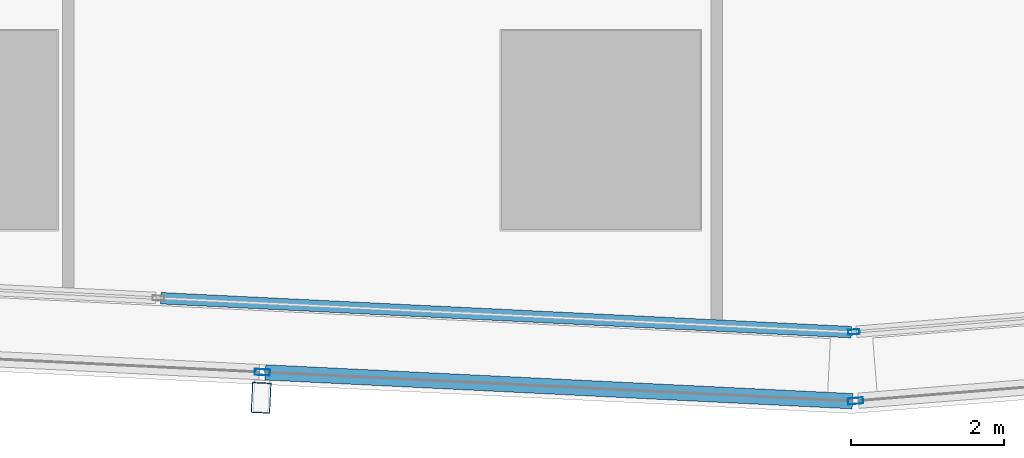
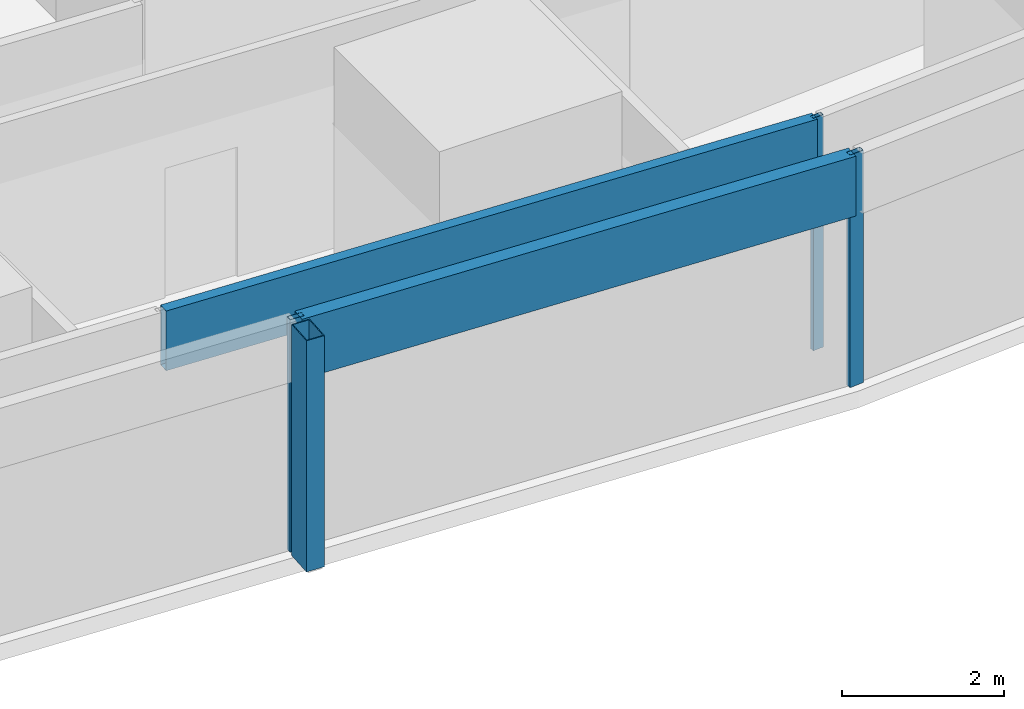
# One storey, part 9 of 46: 6 members, 4 elements without a shape of their own.
"""IFC4 building model written with IfcOpenShell, lengths in metres."""

from ifc_helpers import new_model, si_unit, direction, frame, origin, origin_2d, place, context, subcontext, project, spatial, hollow_rectangle, extrude, material, material_profile, profile_set, type_object, element, aggregate, save


model = new_model("IFC4")

# Units and contexts
model_context = context("Model", 3, precision=1e-05, world=origin(), true_north=direction((0.0, 1.0)))
body_context = subcontext(model_context, "Body", "Model", "MODEL_VIEW")
ifc_project = project(units=[si_unit("LENGTHUNIT", "METRE"), si_unit("AREAUNIT", "SQUARE_METRE"), si_unit("VOLUMEUNIT", "CUBIC_METRE"), si_unit("PLANEANGLEUNIT", "RADIAN"), si_unit("MASSUNIT", "GRAM", prefix="KILO")], contexts=[model_context])

# Site, building, storey
site_placement = place(None, origin())
site = spatial("IfcSite", under=ifc_project, at=site_placement, CompositionType="ELEMENT")
building_placement = place(site_placement, origin())
building = spatial("IfcBuilding", under=site, at=building_placement, Name="Rekha Terrace Tower", CompositionType="ELEMENT")
storey_placement = place(building_placement, frame((0.0, 0.0, 29.14990234375)))
storey = spatial("IfcBuildingStorey", under=building, at=storey_placement, Name="L06", CompositionType="ELEMENT", Elevation=29.14990234375)

# Curtain wall, member
ifc_material_1 = material(Name="Aluminium framing", Category="aluminium")
curtain_wall_type_1 = type_object("IfcCurtainWallType", Name="CW2 double skin outer glazing", PredefinedType="USERDEFINED", material=ifc_material_1)
curtain_wall_1_placement = place(storey_placement, origin())
curtain_wall_1 = element("IfcCurtainWall", 1, at=curtain_wall_1_placement, inside=storey, type_object=curtain_wall_type_1, Name="CW2 double skin outer glazing", ObjectType="DOUBLE SKIN OUTER GLAZING", PredefinedType="USERDEFINED")
ifc_material_2 = material(Name="Steel S355 with fluorocarbon finish", Category="steel")
ifc_material_profile_1 = material_profile(ifc_material_2, hollow_rectangle(XDim=0.25, YDim=0.39990234375, WallThickness=0.012451171875, at=origin_2d()), Name="RHS400x250x12.5")
ifc_profile_set_1 = profile_set([ifc_material_profile_1], Name="Steel S355 with fluorocarbon finish")
member_type_1 = type_object("IfcMemberType", Name="BL1 facade blade RHS 400 x 250", PredefinedType="USERDEFINED", material=ifc_profile_set_1)
member_1_placement = place(storey_placement, frame((37.562744140625, 4.904296875, 0.02001953125), z_axis=(0.0, 0.0, 1.0), x_axis=(0.998796226835, -0.049051985279, 0.0)))
member_1 = element("IfcMember", 2, at=member_1_placement, type_object=member_type_1, Name="Facade blade", ObjectType="FACADE BLADE", PredefinedType="USERDEFINED", context=body_context, shape_type="SweptSolid", body=[
    extrude(hollow_rectangle(XDim=0.25, YDim=0.39990234375, WallThickness=0.012451171875, at=origin_2d()), origin(), (0.0, 0.0, 1.0), 3.47998046875),
])

curtain_wall_type_2 = type_object("IfcCurtainWallType", Name="CW1 double skin inner glazing", PredefinedType="USERDEFINED", material=ifc_material_1)
curtain_wall_2_placement = place(storey_placement, origin())
curtain_wall_2 = element("IfcCurtainWall", 3, at=curtain_wall_2_placement, inside=storey, type_object=curtain_wall_type_2, Name="CW1 double skin inner glazing", ObjectType="DOUBLE SKIN INNER GLAZING", PredefinedType="USERDEFINED")
ifc_material_3 = material(Name="Aluminium mullion section", Category="aluminium")
ifc_material_profile_2 = material_profile(ifc_material_3, hollow_rectangle(XDim=0.06494140625, YDim=0.14990234375, WallThickness=0.00390625, at=origin_2d()), Name="AL RHS 65x150")
ifc_profile_set_2 = profile_set([ifc_material_profile_2], Name="Aluminium mullion section")
member_type_2 = type_object("IfcMemberType", Name="CW1 mullion RHS 65 x 150", PredefinedType="MULLION", material=ifc_profile_set_2)
member_2_placement = place(storey_placement, frame((45.303955078125, 5.7646484375, 0.0), z_axis=(0.0, 0.0, 1.0), x_axis=(-0.079872204468, 0.996805111821, 0.0)))
member_2 = element("IfcMember", 4, at=member_2_placement, type_object=member_type_2, Name="CW1 mullion 1", PredefinedType="MULLION", context=body_context, shape_type="SweptSolid", body=[
    extrude(hollow_rectangle(XDim=0.06494140625, YDim=0.14990234375, WallThickness=0.00390625, at=origin_2d()), origin(), (0.0, 0.0, 1.0), 3.5),
])
aggregate(curtain_wall_2, [member_2])

curtain_wall_3_placement = place(storey_placement, origin())
curtain_wall_3 = element("IfcCurtainWall", 5, at=curtain_wall_3_placement, inside=storey, type_object=curtain_wall_type_2, Name="CW1 double skin inner glazing", ObjectType="DOUBLE SKIN INNER GLAZING", PredefinedType="USERDEFINED")
ifc_material_4 = material(Name="Insulated aluminium spandrel box", Category="aluminium")
ifc_material_profile_3 = material_profile(ifc_material_4, hollow_rectangle(XDim=0.14990234375, YDim=0.89990234375, WallThickness=0.0029296875, at=origin_2d()), Name="AL SPANDREL BOX 150x900")
ifc_profile_set_3 = profile_set([ifc_material_profile_3], Name="Insulated aluminium spandrel box")
member_type_3 = type_object("IfcMemberType", Name="CW1 spandrel transom 150 x 900", PredefinedType="USERDEFINED", material=ifc_profile_set_3)
member_3_placement = place(storey_placement, frame((36.25341796875, 6.205078125, 3.050048828125), z_axis=(0.998794989136, -0.049077180824, 0.0), x_axis=(0.049077180824, 0.998794989136, 0.0)))
member_3 = element("IfcMember", 6, at=member_3_placement, type_object=member_type_3, Name="CW1 spandrel transom 3", ObjectType="TRANSOM", PredefinedType="USERDEFINED", context=body_context, shape_type="SweptSolid", body=[
    extrude(hollow_rectangle(XDim=0.14990234375, YDim=0.89990234375, WallThickness=0.0029296875, at=origin_2d()), origin(), (0.0, 0.0, 1.0), 9.029052734375),
])
aggregate(curtain_wall_3, [member_3])

# Member
ifc_material_profile_4 = material_profile(ifc_material_3, hollow_rectangle(XDim=0.080078125, YDim=0.199951171875, WallThickness=0.00390625, at=origin_2d()), Name="AL RHS 80x200")
ifc_profile_set_4 = profile_set([ifc_material_profile_4], Name="Aluminium mullion section")
member_type_4 = type_object("IfcMemberType", Name="CW2 mullion RHS 80 x 200", PredefinedType="MULLION", material=ifc_profile_set_4)
member_4_placement = place(storey_placement, frame((37.5791015625, 5.23876953125, 0.0), z_axis=(0.0, 0.0, 1.0), x_axis=(0.049051717746, 0.998796239974, 0.0)))
member_4 = element("IfcMember", 7, at=member_4_placement, type_object=member_type_4, Name="CW2 mullion 5", PredefinedType="MULLION", context=body_context, shape_type="SweptSolid", body=[
    extrude(hollow_rectangle(XDim=0.080078125, YDim=0.199951171875, WallThickness=0.00390625, at=origin_2d()), origin(), (0.0, 0.0, 1.0), 3.5),
])

# Curtain wall, member
curtain_wall_4_placement = place(storey_placement, origin())
curtain_wall_4 = element("IfcCurtainWall", 8, at=curtain_wall_4_placement, inside=storey, type_object=curtain_wall_type_1, Name="CW2 double skin outer glazing", ObjectType="DOUBLE SKIN OUTER GLAZING", PredefinedType="USERDEFINED")
member_5_placement = place(storey_placement, frame((45.325439453125, 4.863525390625, 0.0), z_axis=(0.0, 0.0, 1.0), x_axis=(-0.079872204468, 0.996805111821, 0.0)))
member_5 = element("IfcMember", 9, at=member_5_placement, type_object=member_type_4, Name="CW2 mullion 1", PredefinedType="MULLION", context=body_context, shape_type="SweptSolid", body=[
    extrude(hollow_rectangle(XDim=0.080078125, YDim=0.199951171875, WallThickness=0.00390625, at=origin_2d()), origin(), (0.0, 0.0, 1.0), 3.5),
])
aggregate(curtain_wall_4, [member_5])

# Member
ifc_material_profile_5 = material_profile(ifc_material_4, hollow_rectangle(XDim=0.199951171875, YDim=0.89990234375, WallThickness=0.0029296875, at=origin_2d()), Name="AL SPANDREL BOX 200x900")
ifc_profile_set_5 = profile_set([ifc_material_profile_5], Name="Insulated aluminium spandrel box")
member_type_5 = type_object("IfcMemberType", Name="CW2 spandrel transom 200 x 900", PredefinedType="USERDEFINED", material=ifc_profile_set_5)
member_6_placement = place(storey_placement, frame((37.619140625, 5.23681640625, 3.050048828125), z_axis=(0.998796518042, -0.049046055373, 0.0), x_axis=(0.049046055373, 0.998796518042, 0.0)))
member_6 = element("IfcMember", 10, at=member_6_placement, type_object=member_type_5, Name="CW2 spandrel transom 5", ObjectType="TRANSOM", PredefinedType="USERDEFINED", context=body_context, shape_type="SweptSolid", body=[
    extrude(hollow_rectangle(XDim=0.199951171875, YDim=0.89990234375, WallThickness=0.0029296875, at=origin_2d()), origin(), (0.0, 0.0, 1.0), 7.67578125),
])

aggregate(curtain_wall_1, [member_4, member_6, member_1])

save(model, "model.ifc")
